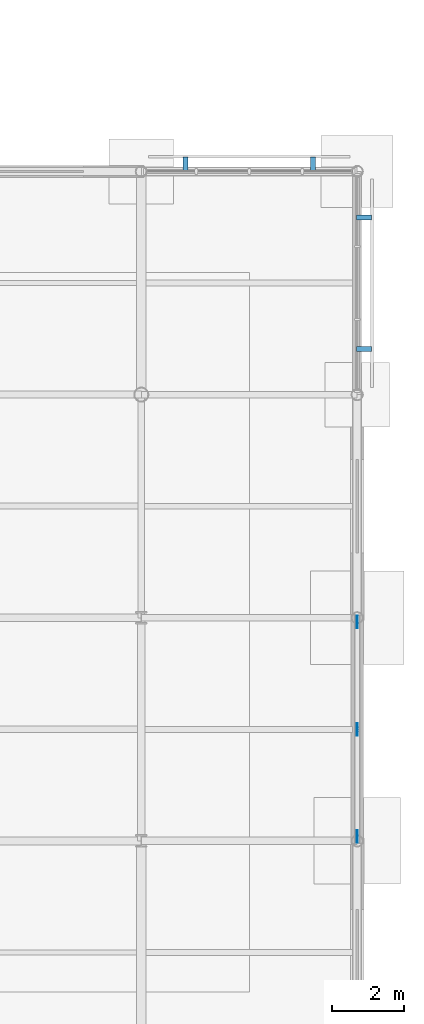
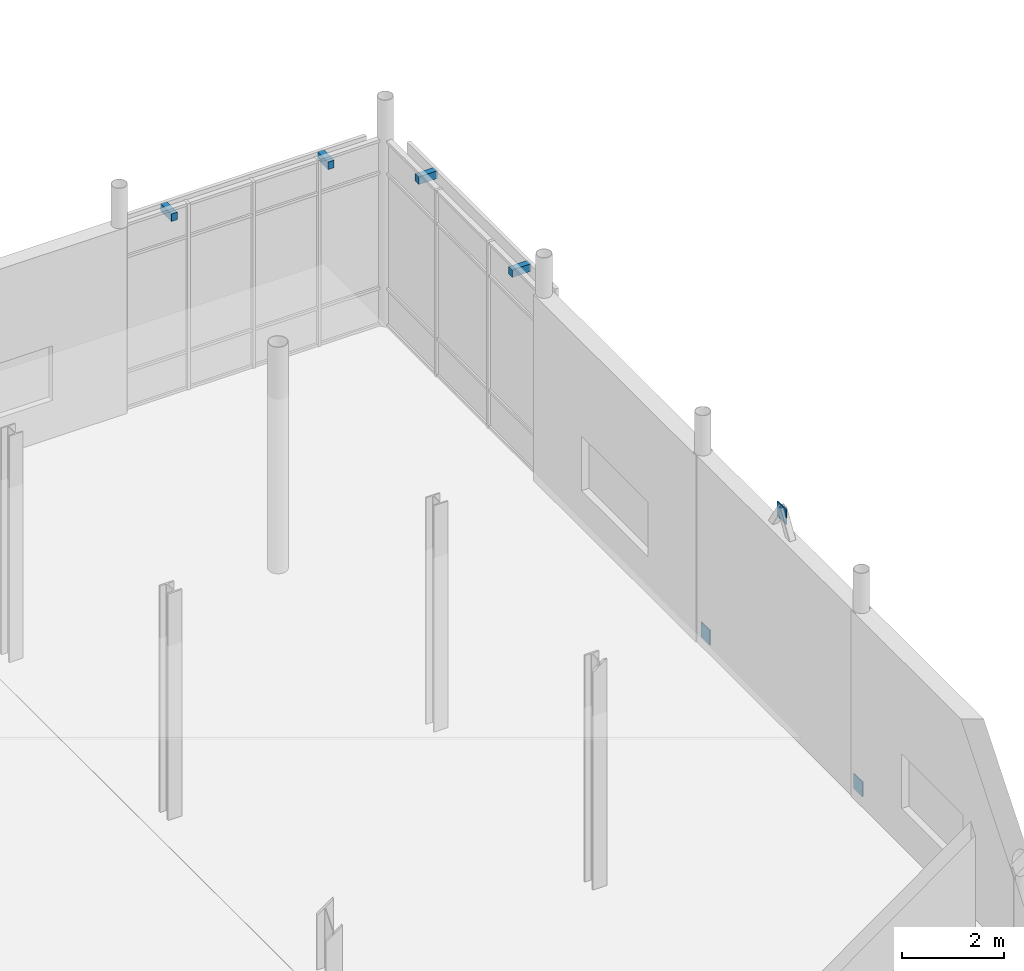
# One storey, part 87 of 98: 7 discrete accessories.
"""IFC4 building model written with IfcOpenShell, lengths in metres."""

from ifc_helpers import new_model, si_unit, direction, frame, origin, origin_2d, place, context, subcontext, project, spatial, rectangle, extrude, material, type_object, element, save


model = new_model("IFC4")

# Units and contexts
model_context = context("Model", 3, precision=1e-05, world=origin(), true_north=direction((0.0, 1.0)))
body_context = subcontext(model_context, "Body", "Model", "MODEL_VIEW")
ifc_project = project(units=[si_unit("LENGTHUNIT", "METRE"), si_unit("AREAUNIT", "SQUARE_METRE"), si_unit("VOLUMEUNIT", "CUBIC_METRE"), si_unit("PLANEANGLEUNIT", "RADIAN"), si_unit("MASSUNIT", "GRAM", prefix="KILO")], contexts=[model_context])

# Site, building, storey
site_placement = place(None, origin())
site = spatial("IfcSite", under=ifc_project, at=site_placement, CompositionType="ELEMENT")
building_placement = place(site_placement, origin())
building = spatial("IfcBuilding", under=site, at=building_placement, Name="Mirzam Square Science Centre", CompositionType="ELEMENT")
storey_placement = place(building_placement, origin())
storey = spatial("IfcBuildingStorey", under=building, at=storey_placement, Name="L00", CompositionType="ELEMENT", Elevation=0.0)

# Discrete accessories
ifc_material = material(Name="Steel S355", Category="steel")
discrete_accessory_type_1 = type_object("IfcDiscreteAccessoryType", Name="BK-BRACE-GUSSET", PredefinedType="BRACKET", material=ifc_material)
for number, where, z_axis, x_axis, name in (
    (1, (162.0, 68.320068359375, -0.005126953125), (0.0, 0.0, 1.0), (0.0, 1.0, 0.0), "L00 brace gusset plate 5A"),
    (2, (162.0, 74.280029296875, -0.005126953125), (0.0, 0.0, 1.0), (0.0, 1.0, 0.0), "L00 brace gusset plate 5B"),
    (3, (162.0, 71.300048828125, 4.679931640625), (0.0, 0.0, 1.0), (0.0, 1.0, 0.0), "L00 brace apex gusset plate 5"),
):
    element("IfcDiscreteAccessory", number, at=place(storey_placement, frame(where, z_axis=z_axis, x_axis=x_axis)), inside=storey, type_object=discrete_accessory_type_1, Name=name, PredefinedType="BRACKET", context=body_context, shape_type="SweptSolid", body=[
        extrude(rectangle(XDim=0.35009765625, YDim=0.02490234375, at=origin_2d()), origin(), (0.0, 0.0, 1.0), 0.35009765625),
    ])
discrete_accessory_type_2 = type_object("IfcDiscreteAccessoryType", Name="BRK-BRISE-STEEL", PredefinedType="BRACKET", material=ifc_material)
for number, where, z_axis, x_axis, name in (
    (4, (162.18994140625, 81.873046875, 4.10009765625), (0.0, 0.0, 1.0), (0.0, 1.0, 0.0), "L00 brise-soleil support bracket 58"),
    (5, (162.18994140625, 85.527099609375, 4.10009765625), (0.0, 0.0, 1.0), (0.0, 1.0, 0.0), "L00 brise-soleil support bracket 58"),
    (6, (160.76708984375, 86.989990234375, 4.10009765625), (0.0, 0.0, 1.0), (-1.0, 0.0, 0.0), "L00 brise-soleil support bracket 59"),
    (7, (157.23291015625, 86.989990234375, 4.10009765625), (0.0, 0.0, 1.0), (-1.0, 0.0, 0.0), "L00 brise-soleil support bracket 59"),
):
    element("IfcDiscreteAccessory", number, at=place(storey_placement, frame(where, z_axis=z_axis, x_axis=x_axis)), inside=storey, type_object=discrete_accessory_type_2, Name=name, PredefinedType="BRACKET", context=body_context, shape_type="SweptSolid", body=[
        extrude(rectangle(XDim=0.139892578125, YDim=0.419921875, at=origin_2d()), origin(), (0.0, 0.0, 1.0), 0.179931640625),
    ])

save(model, "model.ifc")
